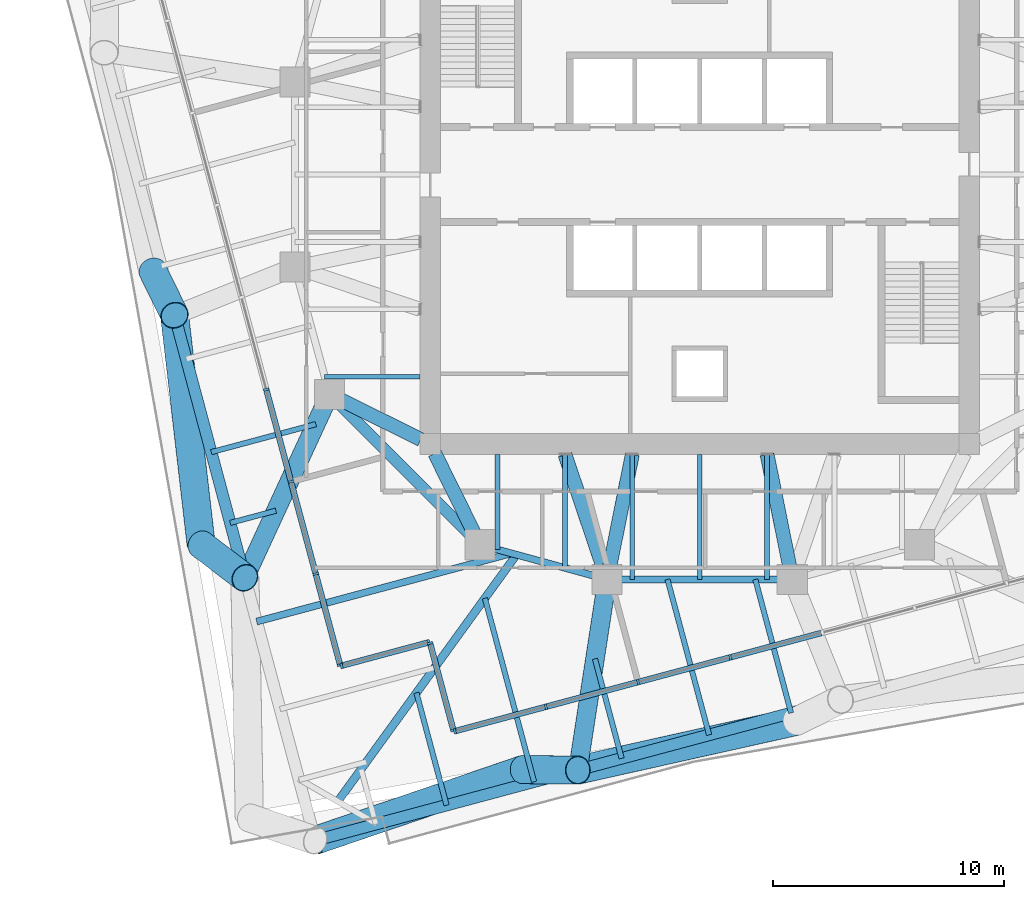
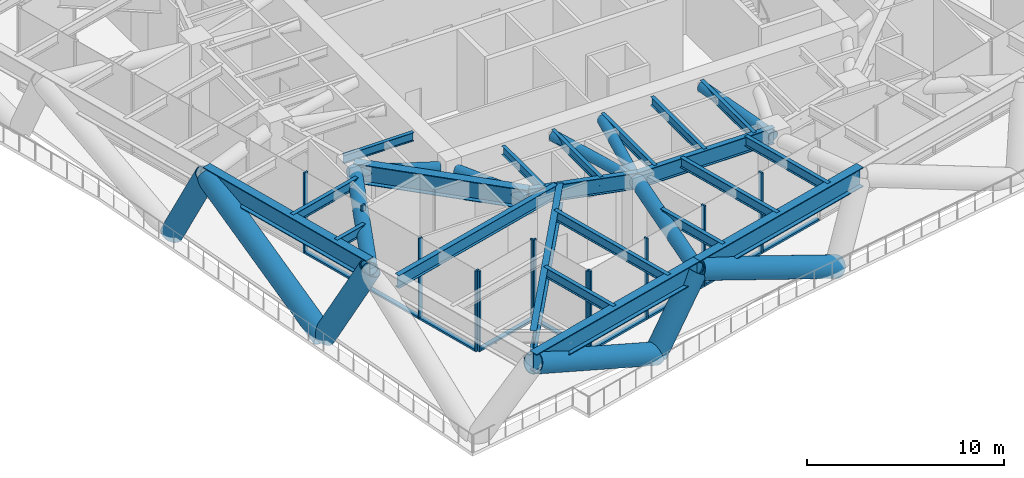
# One storey, part 2 of 14: 34 members, 21 beams, 4 elements without a shape of their own.
"""IFC4 building model written with IfcOpenShell, lengths in metres."""

from ifc_helpers import new_model, si_unit, direction, frame, origin, origin_2d, place, context, subcontext, project, spatial, rectangle, hollow_circle, i_section, extrude, material, material_profile, profile_set, type_object, element, aggregate, save


model = new_model("IFC4")

# Units and contexts
model_context = context("Model", 3, precision=1e-05, world=origin(), true_north=direction((0.0, 1.0)))
body_context = subcontext(model_context, "Body", "Model", "MODEL_VIEW")
ifc_project = project(units=[si_unit("LENGTHUNIT", "METRE"), si_unit("AREAUNIT", "SQUARE_METRE"), si_unit("VOLUMEUNIT", "CUBIC_METRE"), si_unit("PLANEANGLEUNIT", "RADIAN"), si_unit("MASSUNIT", "GRAM", prefix="KILO")], contexts=[model_context])

# Site, building, storey
site_placement = place(None, origin())
site = spatial("IfcSite", under=ifc_project, at=site_placement, CompositionType="ELEMENT")
building_placement = place(site_placement, origin())
building = spatial("IfcBuilding", under=site, at=building_placement, Name="Torsade Residences", CompositionType="ELEMENT")
storey_placement = place(building_placement, frame((0.0, 0.0, 106.60009765625)))
storey = spatial("IfcBuildingStorey", under=building, at=storey_placement, Name="L29", CompositionType="ELEMENT", Elevation=106.60009765625)

# Beams
ifc_material_1 = material(Name="Steel grade 300", Category="steel")
ifc_material_profile_1 = material_profile(ifc_material_1, i_section(OverallWidth=0.35009765625, OverallDepth=1.199951171875, WebThickness=0.01611328125, FlangeThickness=0.028076171875, at=origin_2d()), Name="1200WB278")
ifc_profile_set_1 = profile_set([ifc_material_profile_1], Name="Steel grade 300")
beam_type_1 = type_object("IfcBeamType", Name="CORNER GIRDER 1200WB278", PredefinedType="BEAM", material=ifc_profile_set_1)
beam_1_placement = place(storey_placement, frame((24.355224609375, 2.902587890625, 4.25), z_axis=(0.586391123924, 0.810028054936, 0.0), x_axis=(-0.810028054936, 0.586391123924, 0.0)))
element("IfcBeam", 1, at=beam_1_placement, inside=storey, type_object=beam_type_1, Name="Corner girder 01 L30", PredefinedType="BEAM", context=body_context, shape_type="SweptSolid", body=[
    extrude(i_section(OverallWidth=0.35009765625, OverallDepth=1.199951171875, WebThickness=0.01611328125, FlangeThickness=0.028076171875, at=origin_2d()), origin(), (0.0, 0.0, 1.0), 13.1689453125),
])
ifc_material_2 = material(Name="Steel grade 300", Category="steel")
ifc_material_profile_2 = material_profile(ifc_material_2, i_section(OverallWidth=0.208984375, OverallDepth=0.528076171875, WebThickness=0.009521484375, FlangeThickness=0.01318359375, FilletRadius=0.013916015625, at=origin_2d()), Name="530UB82.0")
ifc_profile_set_2 = profile_set([ifc_material_profile_2], Name="Steel grade 300")
beam_type_2 = type_object("IfcBeamType", Name="INNER FLOOR BEAM 530UB82.0", PredefinedType="JOIST", material=ifc_profile_set_2)
for number, where, z_axis, x_axis, name in (
    (2, (42.91259765625, 17.89990234375, 4.5859375), (0.0, -1.0, 0.0), (1.0, 0.0, 0.0), "Inner floor beam IS03 L30"),
    (3, (40.0, 17.89990234375, 4.5859375), (0.0, -1.0, 0.0), (1.0, 0.0, 0.0), "Inner floor beam IS04 L30"),
    (4, (37.08740234375, 17.89990234375, 4.5859375), (0.0, -1.0, 0.0), (1.0, 0.0, 0.0), "Inner floor beam IS05 L30"),
):
    element("IfcBeam", number, at=place(storey_placement, frame(where, z_axis=z_axis, x_axis=x_axis)), inside=storey, type_object=beam_type_2, Name=name, PredefinedType="JOIST", context=body_context, shape_type="SweptSolid", body=[
        extrude(i_section(OverallWidth=0.208984375, OverallDepth=0.528076171875, WebThickness=0.009521484375, FlangeThickness=0.01318359375, FilletRadius=0.013916015625, at=origin_2d()), origin(), (0.0, 0.0, 1.0), 5.39990234375),
    ])
beam_2_placement = place(storey_placement, frame((34.175048828125, 17.89990234375, 4.5859375), z_axis=(0.0, -1.0, 0.0), x_axis=(1.0, 0.0, 0.0)))
element("IfcBeam", 5, at=beam_2_placement, inside=storey, type_object=beam_type_2, Name="Inner floor beam IS06 L30", PredefinedType="JOIST", context=body_context, shape_type="SweptSolid", body=[
    extrude(i_section(OverallWidth=0.208984375, OverallDepth=0.528076171875, WebThickness=0.009521484375, FlangeThickness=0.01318359375, FilletRadius=0.013916015625, at=origin_2d()), origin(), (0.0, 0.0, 1.0), 4.902099609375),
])
for number, where, z_axis, x_axis, name in (
    (6, (31.262451171875, 17.89990234375, 4.5859375), (0.0, -1.0, 0.0), (1.0, 0.0, 0.0), "Inner floor beam IS07 L30"),
    (7, (27.89990234375, 21.262451171875, 4.5859375), (-1.0, 0.0, 0.0), (0.0, -1.0, 0.0), "Inner floor beam IW07 L30"),
):
    element("IfcBeam", number, at=place(storey_placement, frame(where, z_axis=z_axis, x_axis=x_axis)), inside=storey, type_object=beam_type_2, Name=name, PredefinedType="JOIST", context=body_context, shape_type="SweptSolid", body=[
        extrude(i_section(OverallWidth=0.208984375, OverallDepth=0.528076171875, WebThickness=0.009521484375, FlangeThickness=0.01318359375, FilletRadius=0.013916015625, at=origin_2d()), origin(), (0.0, 0.0, 1.0), 4.10791015625),
    ])
ifc_material_3 = material(Name="Steel grade 300", Category="steel")
ifc_material_profile_3 = material_profile(ifc_material_3, i_section(OverallWidth=0.5, OverallDepth=1.199951171875, WebThickness=0.01611328125, FlangeThickness=0.0400390625, at=origin_2d()), Name="1200WB455")
ifc_profile_set_3 = profile_set([ifc_material_profile_3], Name="Steel grade 300")
beam_type_3 = type_object("IfcBeamType", Name="RING CORNER GIRDER 1200WB455", PredefinedType="BEAM", material=ifc_profile_set_3)
beam_3_placement = place(storey_placement, frame((24.0, 20.5, 4.25), z_axis=(0.707106781187, -0.707106781187, 0.0), x_axis=(0.707106781187, 0.707106781187, 0.0)))
element("IfcBeam", 8, at=beam_3_placement, inside=storey, type_object=beam_type_3, Name="Ring girder IR11 L30", PredefinedType="BEAM", context=body_context, shape_type="SweptSolid", body=[
    extrude(i_section(OverallWidth=0.5, OverallDepth=1.199951171875, WebThickness=0.01611328125, FlangeThickness=0.0400390625, at=origin_2d()), origin(), (0.0, 0.0, 1.0), 9.1923828125),
])
ifc_material_4 = material(Name="Steel grade 300", Category="steel")
ifc_material_profile_4 = material_profile(ifc_material_4, i_section(OverallWidth=0.300048828125, OverallDepth=1.0, WebThickness=0.01611328125, FlangeThickness=0.028076171875, at=origin_2d()), Name="1000WB215")
ifc_profile_set_4 = profile_set([ifc_material_profile_4], Name="Steel grade 300")
beam_type_4 = type_object("IfcBeamType", Name="RING GIRDER 1000WB215", PredefinedType="BEAM", material=ifc_profile_set_4)
beam_4_placement = place(storey_placement, frame((30.5, 14.0, 4.349853515625), z_axis=(0.964763821238, -0.263117405792, 0.0), x_axis=(0.263117405792, 0.964763821238, 0.0)))
element("IfcBeam", 9, at=beam_4_placement, inside=storey, type_object=beam_type_4, Name="Ring girder IR12 L30", PredefinedType="BEAM", context=body_context, shape_type="SweptSolid", body=[
    extrude(i_section(OverallWidth=0.300048828125, OverallDepth=1.0, WebThickness=0.01611328125, FlangeThickness=0.028076171875, at=origin_2d()), origin(), (0.0, 0.0, 1.0), 5.700927734375),
])
beam_5_placement = place(storey_placement, frame((36.0, 12.5, 4.349853515625), z_axis=(1.0, 0.0, 0.0), x_axis=(0.0, 1.0, 0.0)))
element("IfcBeam", 10, at=beam_5_placement, inside=storey, type_object=beam_type_4, Name="Ring girder IR13 L30", PredefinedType="BEAM", context=body_context, shape_type="SweptSolid", body=[
    extrude(i_section(OverallWidth=0.300048828125, OverallDepth=1.0, WebThickness=0.01611328125, FlangeThickness=0.028076171875, at=origin_2d()), origin(), (0.0, 0.0, 1.0), 8.0),
])
ifc_material_5 = material(Name="Steel grade 300", Category="steel")
ifc_material_profile_5 = material_profile(ifc_material_5, i_section(OverallWidth=0.22900390625, OverallDepth=0.612060546875, WebThickness=0.011962890625, FlangeThickness=0.01953125, FilletRadius=0.013916015625, at=origin_2d()), Name="610UB125")
ifc_profile_set_5 = profile_set([ifc_material_profile_5], Name="Steel grade 300")
beam_type_5 = type_object("IfcBeamType", Name="SECONDARY BEAM 610UB125", PredefinedType="JOIST", material=ifc_profile_set_5)
beam_6_placement = place(storey_placement, frame((29.057861328125, 2.739013671875, 4.5439453125), z_axis=(-0.258837130403, 0.965920980166, 0.0), x_axis=(-0.965920980166, -0.258837130403, 0.0)))
element("IfcBeam", 11, at=beam_6_placement, inside=storey, type_object=beam_type_5, Name="Floor beam FS02 L30", PredefinedType="JOIST", context=body_context, shape_type="SweptSolid", body=[
    extrude(i_section(OverallWidth=0.22900390625, OverallDepth=0.612060546875, WebThickness=0.011962890625, FlangeThickness=0.01953125, FilletRadius=0.013916015625, at=origin_2d()), origin(), (0.0, 0.0, 1.0), 5.031982421875),
])
beam_7_placement = place(storey_placement, frame((32.841064453125, 3.752685546875, 4.5439453125), z_axis=(-0.258822243477, 0.965924969282, 0.0), x_axis=(-0.965924969282, -0.258822243477, 0.0)))
element("IfcBeam", 12, at=beam_7_placement, inside=storey, type_object=beam_type_5, Name="Floor beam FS03 L30", PredefinedType="JOIST", context=body_context, shape_type="SweptSolid", body=[
    extrude(i_section(OverallWidth=0.22900390625, OverallDepth=0.612060546875, WebThickness=0.011962890625, FlangeThickness=0.01953125, FilletRadius=0.013916015625, at=origin_2d()), origin(), (0.0, 0.0, 1.0), 8.215087890625),
])
beam_8_placement = place(storey_placement, frame((36.624267578125, 4.766357421875, 4.5439453125), z_axis=(-0.258836590722, 0.965921124784, 0.0), x_axis=(-0.965921124784, -0.258836590722, 0.0)))
element("IfcBeam", 13, at=beam_8_placement, inside=storey, type_object=beam_type_5, Name="Floor beam FS04 L30", PredefinedType="JOIST", context=body_context, shape_type="SweptSolid", body=[
    extrude(i_section(OverallWidth=0.22900390625, OverallDepth=0.612060546875, WebThickness=0.011962890625, FlangeThickness=0.01953125, FilletRadius=0.013916015625, at=origin_2d()), origin(), (0.0, 0.0, 1.0), 4.451904296875),
])
beam_9_placement = place(storey_placement, frame((40.407470703125, 5.7802734375, 4.5439453125), z_axis=(-0.258817945835, 0.965926120836, 0.0), x_axis=(-0.965926120836, -0.258817945835, 0.0)))
element("IfcBeam", 14, at=beam_9_placement, inside=storey, type_object=beam_type_5, Name="Floor beam FS05 L30", PredefinedType="JOIST", context=body_context, shape_type="SweptSolid", body=[
    extrude(i_section(OverallWidth=0.22900390625, OverallDepth=0.612060546875, WebThickness=0.011962890625, FlangeThickness=0.01953125, FilletRadius=0.013916015625, at=origin_2d()), origin(), (0.0, 0.0, 1.0), 6.956787109375),
])
beam_10_placement = place(storey_placement, frame((43.94921875, 6.729248046875, 4.5439453125), z_axis=(-0.258837534481, 0.965920871885, 0.0), x_axis=(-0.965920871885, -0.258837534481, 0.0)))
element("IfcBeam", 15, at=beam_10_placement, inside=storey, type_object=beam_type_5, Name="Floor beam FS06 L30", PredefinedType="JOIST", context=body_context, shape_type="SweptSolid", body=[
    extrude(i_section(OverallWidth=0.22900390625, OverallDepth=0.612060546875, WebThickness=0.011962890625, FlangeThickness=0.01953125, FilletRadius=0.013916015625, at=origin_2d()), origin(), (0.0, 0.0, 1.0), 5.974365234375),
])
beam_11_placement = place(storey_placement, frame((18.885986328125, 18.00146484375, 4.5439453125), z_axis=(0.965926860523, 0.258815185258, 0.0), x_axis=(-0.258815185258, 0.965926860523, 0.0)))
element("IfcBeam", 16, at=beam_11_placement, inside=storey, type_object=beam_type_5, Name="Floor beam FW08 L30", PredefinedType="JOIST", context=body_context, shape_type="SweptSolid", body=[
    extrude(i_section(OverallWidth=0.22900390625, OverallDepth=0.612060546875, WebThickness=0.011962890625, FlangeThickness=0.01953125, FilletRadius=0.013916015625, at=origin_2d()), origin(), (0.0, 0.0, 1.0), 4.6796875),
])
beam_12_placement = place(storey_placement, frame((19.70556640625, 14.942626953125, 4.5439453125), z_axis=(0.965933133225, 0.258791773706, 0.0), x_axis=(-0.258791773706, 0.965933133225, 0.0)))
element("IfcBeam", 17, at=beam_12_placement, inside=storey, type_object=beam_type_5, Name="Floor beam FW09 L30", PredefinedType="JOIST", context=body_context, shape_type="SweptSolid", body=[
    extrude(i_section(OverallWidth=0.22900390625, OverallDepth=0.612060546875, WebThickness=0.011962890625, FlangeThickness=0.01953125, FilletRadius=0.013916015625, at=origin_2d()), origin(), (0.0, 0.0, 1.0), 2.045166015625),
])
ifc_material_6 = material(Name="Steel grade 300", Category="steel")
ifc_material_profile_6 = material_profile(ifc_material_6, i_section(OverallWidth=0.300048828125, OverallDepth=0.800048828125, WebThickness=0.010009765625, FlangeThickness=0.02001953125, at=origin_2d()), Name="800WB146")
ifc_profile_set_6 = profile_set([ifc_material_profile_6], Name="Steel grade 300")
beam_type_6 = type_object("IfcBeamType", Name="SECONDARY BEAM 800WB146", PredefinedType="JOIST", material=ifc_profile_set_6)
beam_13_placement = place(storey_placement, frame((20.8486328125, 10.676513671875, 4.449951171875), z_axis=(0.965929035417, 0.258807068179, 0.0), x_axis=(-0.258807068179, 0.965929035417, 0.0)))
element("IfcBeam", 18, at=beam_13_placement, inside=storey, type_object=beam_type_6, Name="Floor beam FW10 L30", PredefinedType="JOIST", context=body_context, shape_type="SweptSolid", body=[
    extrude(i_section(OverallWidth=0.300048828125, OverallDepth=0.800048828125, WebThickness=0.010009765625, FlangeThickness=0.02001953125, at=origin_2d()), origin(), (0.0, 0.0, 1.0), 11.40380859375),
])

# Members
ifc_material_7 = material(Name="Steel grade 450", Category="steel")
ifc_material_profile_7 = material_profile(ifc_material_7, hollow_circle(Radius=0.304931640625, WallThickness=0.01611328125, at=origin_2d()), Name="610.0x16.0CHS")
ifc_profile_set_7 = profile_set([ifc_material_profile_7], Name="Steel grade 450")
member_type_1 = type_object("IfcMemberType", Name="TRANSFER FLOOR BRACE 610.0x16.0CHS", PredefinedType="BRACE", material=ifc_profile_set_7)
for number, where, z_axis, x_axis, name in (
    (19, (24.0, 20.5, 4.25), (0.896469701914, -0.443105036702, 0.0), (0.443105036702, 0.896469701914, 0.0), "Transfer floor brace TT3 top IR11C"),
    (20, (30.5, 14.0, 4.25), (-0.443105036702, 0.896469701914, 0.0), (-0.896469701914, -0.443105036702, 0.0), "Transfer floor brace TT3 top IR12C"),
):
    element("IfcMember", number, at=place(storey_placement, frame(where, z_axis=z_axis, x_axis=x_axis)), inside=storey, type_object=member_type_1, Name=name, PredefinedType="BRACE", context=body_context, shape_type="SweptSolid", body=[
        extrude(hollow_circle(Radius=0.304931640625, WallThickness=0.01611328125, at=origin_2d()), origin(), (0.0, 0.0, 1.0), 4.40234375),
    ])
member_1_placement = place(storey_placement, frame((36.0, 12.5, 4.25), z_axis=(0.197299340721, 0.97976354245, 0.033710102894), x_axis=(-0.980320704809, 0.197411538983, 0.0)))
element("IfcMember", 21, at=member_1_placement, inside=storey, type_object=member_type_1, Name="Transfer floor brace TT3 top IR13IS05", PredefinedType="BRACE", context=body_context, shape_type="SweptSolid", body=[
    extrude(hollow_circle(Radius=0.304931640625, WallThickness=0.01611328125, at=origin_2d()), origin(), (0.0, 0.0, 1.0), 5.511474609375),
])
member_2_placement = place(storey_placement, frame((36.0, 12.5, 4.25), z_axis=(-0.319999920944, 0.946857291164, 0.032577918373), x_axis=(-0.947360151124, -0.320169867513, 0.0)))
element("IfcMember", 22, at=member_2_placement, inside=storey, type_object=member_type_1, Name="Transfer floor brace TT3 top IR13IS06", PredefinedType="BRACE", context=body_context, shape_type="SweptSolid", body=[
    extrude(hollow_circle(Radius=0.304931640625, WallThickness=0.01611328125, at=origin_2d()), origin(), (0.0, 0.0, 1.0), 5.702880859375),
])
member_3_placement = place(storey_placement, frame((44.0, 12.5, 4.25), z_axis=(-0.197299340721, 0.97976354245, 0.033710102894), x_axis=(-0.980320704809, -0.197411538983, 0.0)))
element("IfcMember", 23, at=member_3_placement, inside=storey, type_object=member_type_1, Name="Transfer floor brace TT3 top IR14IS03", PredefinedType="BRACE", context=body_context, shape_type="SweptSolid", body=[
    extrude(hollow_circle(Radius=0.304931640625, WallThickness=0.01611328125, at=origin_2d()), origin(), (0.0, 0.0, 1.0), 5.511474609375),
])
ifc_material_8 = material(Name="Steel grade 450", Category="steel")
ifc_material_profile_8 = material_profile(ifc_material_8, hollow_circle(Radius=0.406494140625, WallThickness=0.02490234375, at=origin_2d()), Name="813.0x25.0CHS")
ifc_profile_set_8 = profile_set([ifc_material_profile_8], Name="Steel grade 450")
member_type_2 = type_object("IfcMemberType", Name="TRANSFER FLOOR STRUT 813.0x25.0CHS", PredefinedType="STRUT", material=ifc_profile_set_8)
member_4_placement = place(storey_placement, frame((34.732666015625, 4.259521484375, 4.25), z_axis=(0.152006574044, 0.98837948251, 0.0), x_axis=(-0.98837948251, 0.152006574044, 0.0)))
element("IfcMember", 24, at=member_4_placement, inside=storey, type_object=member_type_2, Name="Transfer floor strut TT3 top 02IR13", PredefinedType="STRUT", context=body_context, shape_type="SweptSolid", body=[
    extrude(hollow_circle(Radius=0.406494140625, WallThickness=0.02490234375, at=origin_2d()), origin(), (0.0, 0.0, 1.0), 8.33740234375),
])
member_5_placement = place(storey_placement, frame((20.341796875, 12.568115234375, 4.25), z_axis=(0.418806472813, 0.908075513562, 0.0), x_axis=(-0.908075513562, 0.418806472813, 0.0)))
element("IfcMember", 25, at=member_5_placement, inside=storey, type_object=member_type_2, Name="Transfer floor strut TT3 top 16IR11", PredefinedType="STRUT", context=body_context, shape_type="SweptSolid", body=[
    extrude(hollow_circle(Radius=0.406494140625, WallThickness=0.02490234375, at=origin_2d()), origin(), (0.0, 0.0, 1.0), 8.73486328125),
])

# Curtain wall, members
ifc_material_9 = material(Name="Aluminium and glass", Category="aluminium")
curtain_wall_type = type_object("IfcCurtainWallType", Name="TRANSFER LEVEL CURTAIN WALL LOW ZONE", PredefinedType="NOTDEFINED", material=ifc_material_9)
curtain_wall_1_placement = place(storey_placement, origin())
curtain_wall_1 = element("IfcCurtainWall", 26, at=curtain_wall_1_placement, inside=storey, type_object=curtain_wall_type, Name="Curtain wall L29 face 1", PredefinedType="NOTDEFINED")
ifc_material_10 = material(Name="Aluminium mullion", Category="aluminium")
ifc_material_profile_9 = material_profile(ifc_material_10, rectangle(XDim=0.25, YDim=0.10009765625, at=origin_2d()), Name="TRANSFER LEVEL CURTAIN WALL MULLION 250x100")
ifc_profile_set_9 = profile_set([ifc_material_profile_9], Name="Aluminium mullion")
member_type_3 = type_object("IfcMemberType", Name="TRANSFER LEVEL CURTAIN WALL MULLION 250x100", PredefinedType="MULLION", material=ifc_profile_set_9)
member_6_placement = place(storey_placement, frame((29.416259765625, 5.94091796875, 0.0), z_axis=(0.0, 0.0, 1.0), x_axis=(-0.258819054021, 0.965925823899, 0.0)))
member_6 = element("IfcMember", 27, at=member_6_placement, type_object=member_type_3, Name="Mullion 1", PredefinedType="MULLION", context=body_context, shape_type="SweptSolid", body=[
    extrude(rectangle(XDim=0.25, YDim=0.10009765625, at=origin_2d()), origin(), (0.0, 0.0, 1.0), 5.0),
])
member_7_placement = place(storey_placement, frame((33.3525390625, 6.99560546875, 0.0), z_axis=(0.0, 0.0, 1.0), x_axis=(-0.258819054021, 0.965925823899, 0.0)))
member_7 = element("IfcMember", 28, at=member_7_placement, type_object=member_type_3, Name="Mullion 2", PredefinedType="MULLION", context=body_context, shape_type="SweptSolid", body=[
    extrude(rectangle(XDim=0.25, YDim=0.10009765625, at=origin_2d()), origin(), (0.0, 0.0, 1.0), 5.0),
])
member_8_placement = place(storey_placement, frame((37.3369140625, 8.063232421875, 0.0), z_axis=(0.0, 0.0, 1.0), x_axis=(-0.258819054021, 0.965925823899, 0.0)))
member_8 = element("IfcMember", 29, at=member_8_placement, type_object=member_type_3, Name="Mullion 3", PredefinedType="MULLION", context=body_context, shape_type="SweptSolid", body=[
    extrude(rectangle(XDim=0.25, YDim=0.10009765625, at=origin_2d()), origin(), (0.0, 0.0, 1.0), 5.0),
])
member_9_placement = place(storey_placement, frame((41.3212890625, 9.130859375, 0.0), z_axis=(0.0, 0.0, 1.0), x_axis=(-0.258819054021, 0.965925823899, 0.0)))
member_9 = element("IfcMember", 30, at=member_9_placement, type_object=member_type_3, Name="Mullion 4", PredefinedType="MULLION", context=body_context, shape_type="SweptSolid", body=[
    extrude(rectangle(XDim=0.25, YDim=0.10009765625, at=origin_2d()), origin(), (0.0, 0.0, 1.0), 5.0),
])

curtain_wall_2_placement = place(storey_placement, origin())
curtain_wall_2 = element("IfcCurtainWall", 31, at=curtain_wall_2_placement, inside=storey, type_object=curtain_wall_type, Name="Curtain wall L29 face 10", PredefinedType="NOTDEFINED")
member_10_placement = place(storey_placement, frame((21.26611328125, 20.709716796875, 0.0), z_axis=(0.0, 0.0, 1.0), x_axis=(0.965925823899, 0.258819054021, 0.0)))
member_10 = element("IfcMember", 32, at=member_10_placement, type_object=member_type_3, Name="Mullion 6", PredefinedType="MULLION", context=body_context, shape_type="SweptSolid", body=[
    extrude(rectangle(XDim=0.25, YDim=0.10009765625, at=origin_2d()), origin(), (0.0, 0.0, 1.0), 5.0),
])
member_11_placement = place(storey_placement, frame((22.333740234375, 16.725341796875, 0.0), z_axis=(0.0, 0.0, 1.0), x_axis=(0.965925823899, 0.258819054021, 0.0)))
member_11 = element("IfcMember", 33, at=member_11_placement, type_object=member_type_3, Name="Mullion 7", PredefinedType="MULLION", context=body_context, shape_type="SweptSolid", body=[
    extrude(rectangle(XDim=0.25, YDim=0.10009765625, at=origin_2d()), origin(), (0.0, 0.0, 1.0), 5.0),
])
member_12_placement = place(storey_placement, frame((23.4013671875, 12.740966796875, 0.0), z_axis=(0.0, 0.0, 1.0), x_axis=(0.965925823899, 0.258819054021, 0.0)))
member_12 = element("IfcMember", 34, at=member_12_placement, type_object=member_type_3, Name="Mullion 8", PredefinedType="MULLION", context=body_context, shape_type="SweptSolid", body=[
    extrude(rectangle(XDim=0.25, YDim=0.10009765625, at=origin_2d()), origin(), (0.0, 0.0, 1.0), 5.0),
])
member_13_placement = place(storey_placement, frame((24.4560546875, 8.8046875, 0.0), z_axis=(0.0, 0.0, 1.0), x_axis=(0.965925823899, 0.258819054021, 0.0)))
member_13 = element("IfcMember", 35, at=member_13_placement, type_object=member_type_3, Name="Mullion 9", PredefinedType="MULLION", context=body_context, shape_type="SweptSolid", body=[
    extrude(rectangle(XDim=0.25, YDim=0.10009765625, at=origin_2d()), origin(), (0.0, 0.0, 1.0), 5.0),
])

curtain_wall_3_placement = place(storey_placement, origin())
curtain_wall_3 = element("IfcCurtainWall", 36, at=curtain_wall_3_placement, inside=storey, type_object=curtain_wall_type, Name="Curtain wall L29 face 11", PredefinedType="NOTDEFINED")
member_14_placement = place(storey_placement, frame((24.517333984375, 8.769287109375, 0.0), z_axis=(0.0, 0.0, 1.0), x_axis=(-0.258819255346, 0.965925769954, 0.0)))
member_14 = element("IfcMember", 37, at=member_14_placement, type_object=member_type_3, Name="Mullion 1", PredefinedType="MULLION", context=body_context, shape_type="SweptSolid", body=[
    extrude(rectangle(XDim=0.25, YDim=0.10009765625, at=origin_2d()), origin(), (0.0, 0.0, 1.0), 5.0),
])
member_15_placement = place(storey_placement, frame((28.284423828125, 9.77880859375, 0.0), z_axis=(0.0, 0.0, 1.0), x_axis=(-0.258819255346, 0.965925769954, 0.0)))
member_15 = element("IfcMember", 38, at=member_15_placement, type_object=member_type_3, Name="Mullion 2", PredefinedType="MULLION", context=body_context, shape_type="SweptSolid", body=[
    extrude(rectangle(XDim=0.25, YDim=0.10009765625, at=origin_2d()), origin(), (0.0, 0.0, 1.0), 5.0),
])

curtain_wall_4_placement = place(storey_placement, origin())
curtain_wall_4 = element("IfcCurtainWall", 39, at=curtain_wall_4_placement, inside=storey, type_object=curtain_wall_type, Name="Curtain wall L29 face 12", PredefinedType="NOTDEFINED")
member_16_placement = place(storey_placement, frame((28.345703125, 9.743408203125, 0.0), z_axis=(0.0, 0.0, 1.0), x_axis=(0.965925849201, 0.258818959596, 0.0)))
member_16 = element("IfcMember", 40, at=member_16_placement, type_object=member_type_3, Name="Mullion 1", PredefinedType="MULLION", context=body_context, shape_type="SweptSolid", body=[
    extrude(rectangle(XDim=0.25, YDim=0.10009765625, at=origin_2d()), origin(), (0.0, 0.0, 1.0), 5.0),
])
member_17_placement = place(storey_placement, frame((29.35498046875, 5.976318359375, 0.0), z_axis=(0.0, 0.0, 1.0), x_axis=(0.965925849201, 0.258818959596, 0.0)))
member_17 = element("IfcMember", 41, at=member_17_placement, type_object=member_type_3, Name="Mullion 2", PredefinedType="MULLION", context=body_context, shape_type="SweptSolid", body=[
    extrude(rectangle(XDim=0.25, YDim=0.10009765625, at=origin_2d()), origin(), (0.0, 0.0, 1.0), 5.0),
])

# Member
ifc_material_11 = material(Name="Aluminium transom", Category="aluminium")
ifc_material_profile_10 = material_profile(ifc_material_11, rectangle(XDim=0.25, YDim=0.1201171875, at=origin_2d()), Name="TRANSFER LEVEL CURTAIN WALL TRANSOM 250x120")
ifc_profile_set_10 = profile_set([ifc_material_profile_10], Name="Aluminium transom")
member_type_4 = type_object("IfcMemberType", Name="TRANSFER LEVEL CURTAIN WALL TRANSOM 250x120", PredefinedType="USERDEFINED", material=ifc_profile_set_10)
member_18_placement = place(storey_placement, frame((29.464599609375, 5.953857421875, 0.059814453125), z_axis=(0.965926393629, 0.258816927752, 0.0), x_axis=(-0.258816927752, 0.965926393629, 0.0)))
member_18 = element("IfcMember", 42, at=member_18_placement, type_object=member_type_4, Name="Transom 1.1", ObjectType="TRANSOM", PredefinedType="USERDEFINED", context=body_context, shape_type="SweptSolid", body=[
    extrude(rectangle(XDim=0.25, YDim=0.1201171875, at=origin_2d()), origin(), (0.0, 0.0, 1.0), 3.97509765625),
])

member_19_placement = place(storey_placement, frame((33.400634765625, 7.008544921875, 0.059814453125), z_axis=(0.965927204495, 0.258813901512, 0.0), x_axis=(-0.258813901512, 0.965927204495, 0.0)))
member_19 = element("IfcMember", 43, at=member_19_placement, type_object=member_type_4, Name="Transom 2.1", ObjectType="TRANSOM", PredefinedType="USERDEFINED", context=body_context, shape_type="SweptSolid", body=[
    extrude(rectangle(XDim=0.25, YDim=0.1201171875, at=origin_2d()), origin(), (0.0, 0.0, 1.0), 4.025146484375),
])

member_20_placement = place(storey_placement, frame((37.38525390625, 8.076171875, 0.059814453125), z_axis=(0.965923141201, 0.258829065781, 0.0), x_axis=(-0.258829065781, 0.965923141201, 0.0)))
member_20 = element("IfcMember", 44, at=member_20_placement, type_object=member_type_4, Name="Transom 3.1", ObjectType="TRANSOM", PredefinedType="USERDEFINED", context=body_context, shape_type="SweptSolid", body=[
    extrude(rectangle(XDim=0.25, YDim=0.1201171875, at=origin_2d()), origin(), (0.0, 0.0, 1.0), 4.02490234375),
])

member_21_placement = place(storey_placement, frame((41.36962890625, 9.143798828125, 0.059814453125), z_axis=(0.965927204495, 0.258813901512, 0.0), x_axis=(-0.258813901512, 0.965927204495, 0.0)))
member_21 = element("IfcMember", 45, at=member_21_placement, type_object=member_type_4, Name="Transom 4.1", ObjectType="TRANSOM", PredefinedType="USERDEFINED", context=body_context, shape_type="SweptSolid", body=[
    extrude(rectangle(XDim=0.25, YDim=0.1201171875, at=origin_2d()), origin(), (0.0, 0.0, 1.0), 4.025146484375),
])

aggregate(curtain_wall_1, [member_6, member_7, member_8, member_9, member_18, member_19, member_20, member_21])

member_22_placement = place(storey_placement, frame((21.279052734375, 20.661376953125, 0.059814453125), z_axis=(0.258829065781, -0.965923141201, 0.0), x_axis=(0.965923141201, 0.258829065781, 0.0)))
member_22 = element("IfcMember", 46, at=member_22_placement, type_object=member_type_4, Name="Transom 6.1", ObjectType="TRANSOM", PredefinedType="USERDEFINED", context=body_context, shape_type="SweptSolid", body=[
    extrude(rectangle(XDim=0.25, YDim=0.1201171875, at=origin_2d()), origin(), (0.0, 0.0, 1.0), 4.02490234375),
])

member_23_placement = place(storey_placement, frame((22.3466796875, 16.677001953125, 0.059814453125), z_axis=(0.258813901512, -0.965927204495, 0.0), x_axis=(0.965927204495, 0.258813901512, 0.0)))
member_23 = element("IfcMember", 47, at=member_23_placement, type_object=member_type_4, Name="Transom 7.1", ObjectType="TRANSOM", PredefinedType="USERDEFINED", context=body_context, shape_type="SweptSolid", body=[
    extrude(rectangle(XDim=0.25, YDim=0.1201171875, at=origin_2d()), origin(), (0.0, 0.0, 1.0), 4.025146484375),
])

member_24_placement = place(storey_placement, frame((23.414306640625, 12.692626953125, 0.059814453125), z_axis=(0.258816927752, -0.965926393629, 0.0), x_axis=(0.965926393629, 0.258816927752, 0.0)))
member_24 = element("IfcMember", 48, at=member_24_placement, type_object=member_type_4, Name="Transom 8.1", ObjectType="TRANSOM", PredefinedType="USERDEFINED", context=body_context, shape_type="SweptSolid", body=[
    extrude(rectangle(XDim=0.25, YDim=0.1201171875, at=origin_2d()), origin(), (0.0, 0.0, 1.0), 3.97509765625),
])

aggregate(curtain_wall_2, [member_10, member_11, member_12, member_13, member_22, member_23, member_24])

member_25_placement = place(storey_placement, frame((24.565673828125, 8.7822265625, 0.059814453125), z_axis=(0.96591535551, 0.258858119419, 0.0), x_axis=(-0.258858119419, 0.96591535551, 0.0)))
member_25 = element("IfcMember", 49, at=member_25_placement, type_object=member_type_4, Name="Transom 1.1", ObjectType="TRANSOM", PredefinedType="USERDEFINED", context=body_context, shape_type="SweptSolid", body=[
    extrude(rectangle(XDim=0.25, YDim=0.1201171875, at=origin_2d()), origin(), (0.0, 0.0, 1.0), 3.800048828125),
])

aggregate(curtain_wall_3, [member_14, member_15, member_25])

member_26_placement = place(storey_placement, frame((28.358642578125, 9.695068359375, 0.059814453125), z_axis=(0.258798174346, -0.96593141835, 0.0), x_axis=(0.96593141835, 0.258798174346, 0.0)))
member_26 = element("IfcMember", 50, at=member_26_placement, type_object=member_type_4, Name="Transom 1.1", ObjectType="TRANSOM", PredefinedType="USERDEFINED", context=body_context, shape_type="SweptSolid", body=[
    extrude(rectangle(XDim=0.25, YDim=0.1201171875, at=origin_2d()), origin(), (0.0, 0.0, 1.0), 3.7998046875),
])

aggregate(curtain_wall_4, [member_16, member_17, member_26])

# Beams
ifc_material_12 = material(Name="Steel grade 350", Category="steel")
ifc_material_profile_11 = material_profile(ifc_material_12, i_section(OverallWidth=0.5, OverallDepth=1.199951171875, WebThickness=0.031982421875, FlangeThickness=0.050048828125, at=origin_2d()), Name="1200x500x50x32WPG")
ifc_profile_set_11 = profile_set([ifc_material_profile_11], Name="Steel grade 350")
beam_type_7 = type_object("IfcBeamType", Name="TRANSFER TRUSS CHORD 1200x500x50x32WPG", PredefinedType="USERDEFINED", material=ifc_profile_set_11)
for number, where, z_axis, x_axis, name in (
    (51, (23.383056640625, 1.218505859375, 4.25), (0.965928018634, 0.258810863021, 0.0), (-0.258810863021, 0.965928018634, 0.0), "Transfer truss TT3 top chord 01"),
    (52, (34.732666015625, 4.259521484375, 4.25), (0.965922824118, 0.258830249097, 0.0), (-0.258830249097, 0.965922824118, 0.0), "Transfer truss TT3 top chord 02"),
    (53, (17.30078125, 23.917724609375, 4.25), (0.258810863021, -0.965928018634, 0.0), (0.965928018634, 0.258810863021, 0.0), "Transfer truss TT3 top chord 15"),
):
    element("IfcBeam", number, at=place(storey_placement, frame(where, z_axis=z_axis, x_axis=x_axis)), inside=storey, type_object=beam_type_7, Name=name, ObjectType="TRANSFER TRUSS CHORD", PredefinedType="USERDEFINED", context=body_context, shape_type="SweptSolid", body=[
        extrude(i_section(OverallWidth=0.5, OverallDepth=1.199951171875, WebThickness=0.031982421875, FlangeThickness=0.050048828125, at=origin_2d()), origin(), (0.0, 0.0, 1.0), 11.75),
    ])

# Members
ifc_material_13 = material(Name="Steel grade 450", Category="steel")
ifc_material_profile_12 = material_profile(ifc_material_13, hollow_circle(Radius=0.609619140625, WallThickness=0.0400390625, at=origin_2d()), Name="1219.0x40.0CHS")
ifc_profile_set_12 = profile_set([ifc_material_profile_12], Name="Steel grade 450")
member_type_5 = type_object("IfcMemberType", Name="TRANSFER TRUSS DIAGONAL 1219.0x40.0CHS", PredefinedType="BRACE", material=ifc_profile_set_12)
member_27_placement = place(storey_placement, frame((32.349853515625, 4.28076171875, -0.2001953125), z_axis=(-0.856567488808, -0.292526846333, 0.425111963243), x_axis=(0.323183813062, -0.946336210326, 0.0)))
element("IfcMember", 54, at=member_27_placement, inside=storey, type_object=member_type_5, Name="Transfer truss TT3 diagonal 01", PredefinedType="BRACE", context=body_context, shape_type="SweptSolid", body=[
    extrude(hollow_circle(Radius=0.609619140625, WallThickness=0.0400390625, at=origin_2d()), origin(), (0.0, 0.0, 1.0), 10.46826171875),
])
member_28_placement = place(storey_placement, frame((44.16748046875, 6.364501953125, -0.2001953125), z_axis=(-0.886568962777, -0.197800429475, 0.418175159879), x_axis=(0.217754011153, -0.976003683716, 0.0)))
element("IfcMember", 55, at=member_28_placement, inside=storey, type_object=member_type_5, Name="Transfer truss TT3 diagonal 02", PredefinedType="BRACE", context=body_context, shape_type="SweptSolid", body=[
    extrude(hollow_circle(Radius=0.609619140625, WallThickness=0.0400390625, at=origin_2d()), origin(), (0.0, 0.0, 1.0), 10.641845703125),
])
member_29_placement = place(storey_placement, frame((18.448486328125, 14.0146484375, -0.2001953125), z_axis=(-0.105125010459, 0.907080578438, 0.407619376865), x_axis=(-0.993351216405, -0.115123242076, 0.0)))
element("IfcMember", 56, at=member_29_placement, inside=storey, type_object=member_type_5, Name="Transfer truss TT3 diagonal 15", PredefinedType="BRACE", context=body_context, shape_type="SweptSolid", body=[
    extrude(hollow_circle(Radius=0.609619140625, WallThickness=0.0400390625, at=origin_2d()), origin(), (0.0, 0.0, 1.0), 10.91748046875),
])
ifc_material_14 = material(Name="Steel grade 450", Category="steel")
ifc_material_profile_13 = material_profile(ifc_material_14, hollow_circle(Radius=0.609619140625, WallThickness=0.031982421875, at=origin_2d()), Name="1219.0x32.0CHS")
ifc_profile_set_13 = profile_set([ifc_material_profile_13], Name="Steel grade 450")
member_type_6 = type_object("IfcMemberType", Name="TRANSFER TRUSS RAKING STRUT 1219.0x32.0CHS", PredefinedType="STRUT", material=ifc_profile_set_13)
member_30_placement = place(storey_placement, frame((32.349853515625, 4.28076171875, -0.2001953125), z_axis=(0.472029327114, -0.004207638469, 0.881572804777), x_axis=(0.008913580305, 0.999960273254, 0.0)))
element("IfcMember", 57, at=member_30_placement, inside=storey, type_object=member_type_6, Name="Transfer truss TT3 raking strut 02", PredefinedType="STRUT", context=body_context, shape_type="SweptSolid", body=[
    extrude(hollow_circle(Radius=0.609619140625, WallThickness=0.031982421875, at=origin_2d()), origin(), (0.0, 0.0, 1.0), 5.048095703125),
])
member_31_placement = place(storey_placement, frame((16.364501953125, 25.83251953125, -0.2001953125), z_axis=(0.189749239976, -0.388058224023, 0.901890259786), x_axis=(0.898355232604, 0.439269707642, 0.0)))
element("IfcMember", 58, at=member_31_placement, inside=storey, type_object=member_type_6, Name="Transfer truss TT3 raking strut 15", PredefinedType="STRUT", context=body_context, shape_type="SweptSolid", body=[
    extrude(hollow_circle(Radius=0.609619140625, WallThickness=0.031982421875, at=origin_2d()), origin(), (0.0, 0.0, 1.0), 4.934326171875),
])
member_32_placement = place(storey_placement, frame((18.448486328125, 14.0146484375, -0.2001953125), z_axis=(0.375068749809, -0.286561230512, 0.881592929919), x_axis=(0.607107753949, 0.794619515929, 0.0)))
element("IfcMember", 59, at=member_32_placement, inside=storey, type_object=member_type_6, Name="Transfer truss TT3 raking strut 16", PredefinedType="STRUT", context=body_context, shape_type="SweptSolid", body=[
    extrude(hollow_circle(Radius=0.609619140625, WallThickness=0.031982421875, at=origin_2d()), origin(), (0.0, 0.0, 1.0), 5.0478515625),
])

save(model, "model.ifc")
